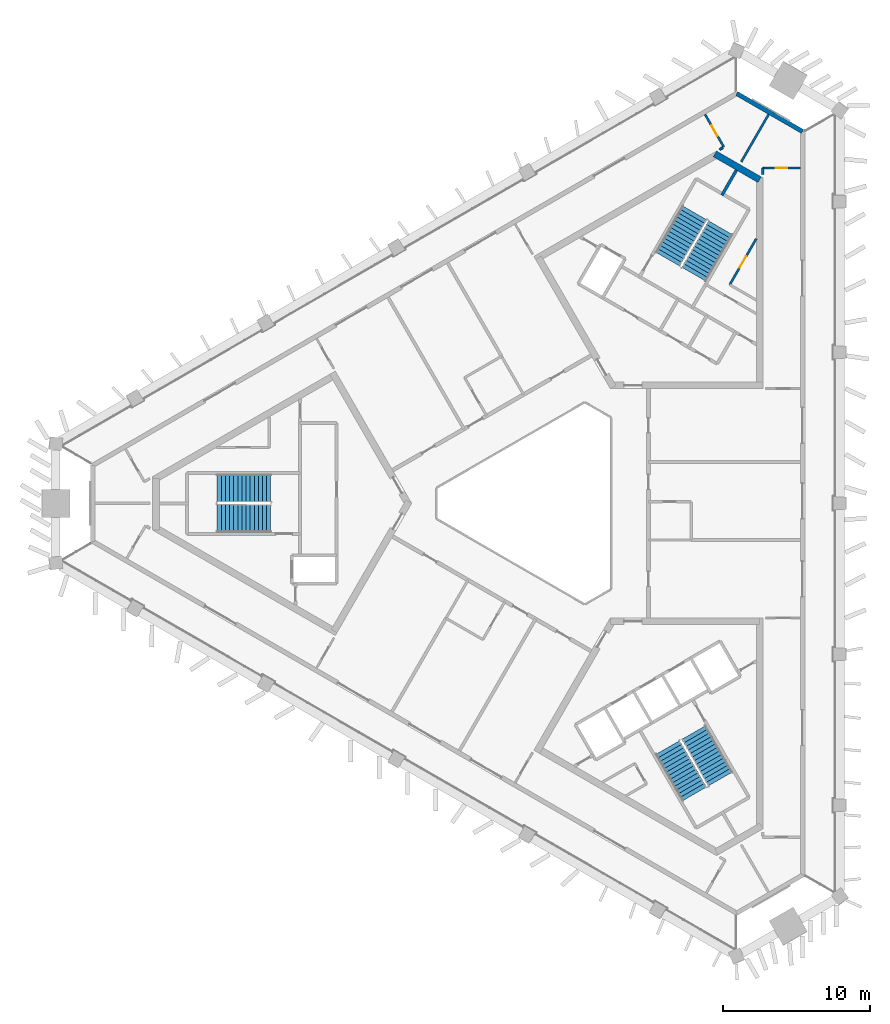
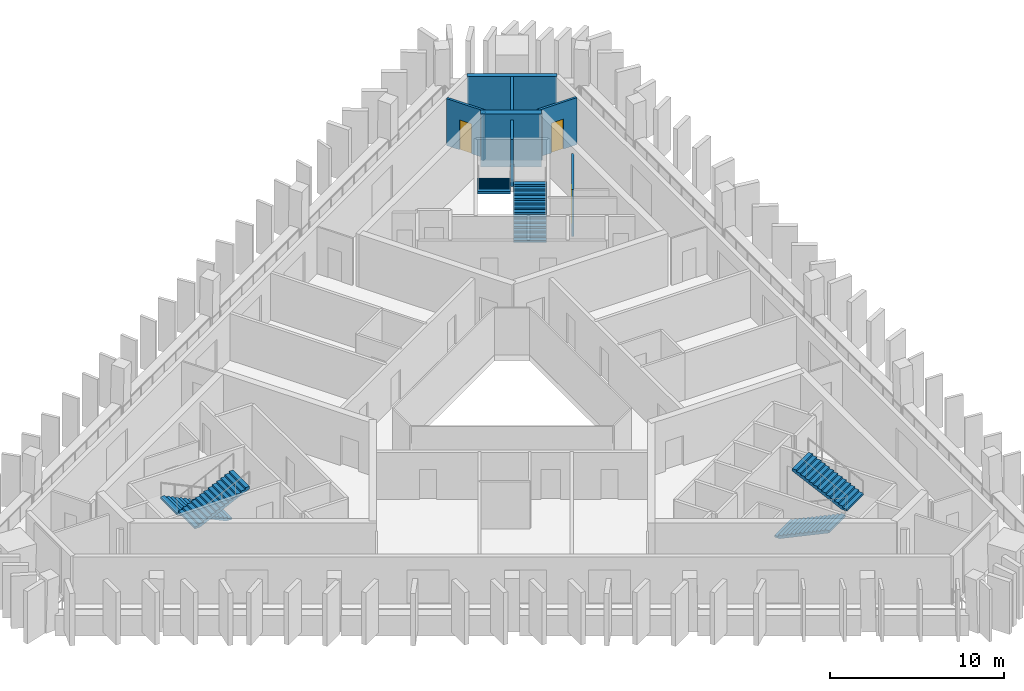
# One storey, part 6 of 9: 9 walls, 6 stair flights, 3 doors, 3 openings, 3 elements without a shape of their own.
"""IFC4 building model written with IfcOpenShell, lengths in metres."""

from ifc_helpers import new_model, si_unit, direction, frame, frame_2d, origin, place, context, subcontext, project, spatial, polyline, rectangle, outline, extrude, material, layer, layer_set, type_object, element, fill, aggregate, save


model = new_model("IFC4")

# Units and contexts
model_context = context("Model", 3, precision=1e-05, world=origin(), true_north=direction((0.0, 1.0)))
body_context = subcontext(model_context, "Body", "Model", "MODEL_VIEW")
ifc_project = project(units=[si_unit("LENGTHUNIT", "METRE"), si_unit("AREAUNIT", "SQUARE_METRE"), si_unit("VOLUMEUNIT", "CUBIC_METRE"), si_unit("PLANEANGLEUNIT", "RADIAN"), si_unit("MASSUNIT", "GRAM", prefix="KILO")], contexts=[model_context])

# Site, building, storey
site_placement = place(None, origin())
site = spatial("IfcSite", under=ifc_project, at=site_placement, CompositionType="ELEMENT")
building_placement = place(site_placement, origin())
building = spatial("IfcBuilding", under=site, at=building_placement, Name="Jabali Bay Hotel Tower and Convention Centre", CompositionType="ELEMENT")
storey_placement = place(building_placement, frame((0.0, 0.0, 224.300048828125)))
storey = spatial("IfcBuildingStorey", under=building, at=storey_placement, Name="L55", CompositionType="ELEMENT", Elevation=224.300048828125)

# Wall
ifc_material_1 = material(Name="Concrete C40", Category="concrete")
ifc_layer_1 = layer(ifc_material_1, 0.199951171875)
ifc_layer_set_1 = layer_set([ifc_layer_1], Name="Concrete C40")
wall_type_1 = type_object("IfcWallType", Name="Core partition wall 200", PredefinedType="PARTITIONING", material=ifc_layer_set_1)
wall_1_placement = place(storey_placement, frame((87.090087890625, 100.9404296875, 0.0), z_axis=(0.0, 0.0, 1.0), x_axis=(0.500011643316, 0.866018681408, 0.0)))
element("IfcWall", 1, at=wall_1_placement, inside=storey, type_object=wall_type_1, Name="Core wall 1.5 L55", PredefinedType="PARTITIONING", context=body_context, shape_type="SweptSolid", body=[
    extrude(rectangle(XDim=1.97314453125, YDim=0.199951171875, at=frame_2d((0.986572265625, 0.0))), origin(), (0.0, 0.0, 1.0), 3.300048828125),
])

# Wall, opening, door
ifc_material_2 = material(Name="Fire-rated board partition")
ifc_layer_2 = layer(ifc_material_2, 0.14990234375)
ifc_layer_set_2 = layer_set([ifc_layer_2], Name="Fire-rated board partition")
wall_type_2 = type_object("IfcWallType", Name="Core room partition 150", PredefinedType="PARTITIONING", material=ifc_layer_set_2)
wall_2_placement = place(storey_placement, frame((87.62109375, 94.8603515625, 0.0), z_axis=(0.0, 0.0, 1.0), x_axis=(0.499993116331, 0.866029378036, 0.0)))
wall_2 = element("IfcWall", 2, at=wall_2_placement, inside=storey, type_object=wall_type_2, Name="Core wall 1.1 L55", PredefinedType="PARTITIONING", context=body_context, shape_type="SweptSolid", body=[
    extrude(rectangle(XDim=3.61767578125, YDim=0.14990234375, at=frame_2d((1.808837890625, 0.0))), origin(), (0.0, 0.0, 1.0), 3.300048828125),
])
opening_1_placement = place(wall_2_placement, frame((1.33154296875, 0.0, 0.0)))
opening_1 = element("IfcOpeningElement", 3, at=opening_1_placement, cuts=wall_2, Name="Opening D1203", PredefinedType="OPENING", context=body_context, shape_type="SweptSolid", body=[
    extrude(rectangle(XDim=0.89990234375, YDim=2.10009765625, at=frame_2d((0.449951171875, 1.050048828125))), frame((0.0, 0.08544921875, 0.0), z_axis=(0.0, -1.0, 0.0), x_axis=(1.0, 0.0, 0.0)), (0.0, 0.0, 1.0), 0.1708984375),
])
ifc_material_3 = material(Name="Fire-rated steel door", Category="steel")
door_type_1 = type_object("IfcDoorType", Name="Core room door 900 x 2100", OperationType="NOTDEFINED", PredefinedType="NOTDEFINED", material=ifc_material_3)
door_1_placement = place(opening_1_placement, origin())
door_1 = element("IfcDoor", 4, at=door_1_placement, inside=storey, type_object=door_type_1, Name="Core room door D1203", OperationType="SINGLE_SWING_LEFT", OverallHeight=2.10009765625, OverallWidth=0.89990234375, PredefinedType="NOTDEFINED", context=body_context, shape_type="SweptSolid", body=[
    extrude(rectangle(XDim=0.89990234375, YDim=2.10009765625, at=frame_2d((0.449951171875, 1.050048828125))), frame((0.0, 0.02490234375, 0.0), z_axis=(0.0, -1.0, 0.0), x_axis=(1.0, 0.0, 0.0)), (0.0, 0.0, 1.0), 0.050048828125),
])
fill(opening_1, door_1)

# Walls
ifc_material_4 = material(Name="Concrete C60", Category="concrete")
ifc_layer_3 = layer(ifc_material_4, 0.449951171875)
ifc_layer_set_3 = layer_set([ifc_layer_3], Name="Concrete C60")
wall_type_3 = type_object("IfcWallType", Name="Core wall 450", PredefinedType="SHEAR", material=ifc_layer_set_3)
wall_3_placement = place(storey_placement, frame((89.655029296875, 101.997802734375, 0.0), z_axis=(0.0, 0.0, 1.0), x_axis=(-0.866042179588, 0.49997094233, 0.0)))
element("IfcWall", 5, at=wall_3_placement, inside=storey, type_object=wall_type_3, Name="Core wall 2.3 L55", PredefinedType="SHEAR", context=body_context, shape_type="SweptSolid", body=[
    extrude(rectangle(XDim=3.515380859375, YDim=0.449951171875, at=frame_2d((1.7578125, 0.0))), origin(), (0.0, 0.0, 1.0), 3.699951171875),
])
ifc_layer_4 = layer(ifc_material_1, 0.300048828125)
ifc_layer_set_4 = layer_set([ifc_layer_4], Name="Concrete C40")
wall_type_4 = type_object("IfcWallType", Name="External wall 300", PredefinedType="SOLIDWALL", material=ifc_layer_set_4)
wall_4_placement = place(storey_placement, frame((88.09912109375, 107.859130859375, 0.0), z_axis=(0.0, 0.0, 1.0), x_axis=(0.866032272612, -0.499988102653, 0.0)))
element("IfcWall", 6, at=wall_4_placement, inside=storey, type_object=wall_type_4, Name="External wall north-east chamfer L55", PredefinedType="SOLIDWALL", context=body_context, shape_type="SweptSolid", body=[
    extrude(rectangle(XDim=5.171142578125, YDim=0.300048828125, at=frame_2d((2.58544921875, 0.0))), origin(), (0.0, 0.0, 1.0), 3.300048828125),
])

# Wall, opening, door
ifc_material_5 = material(Name="Plasterboard on steel stud", Category="steel")
ifc_layer_5 = layer(ifc_material_5, 0.14990234375)
ifc_layer_set_5 = layer_set([ifc_layer_5], Name="Plasterboard on steel stud")
wall_type_5 = type_object("IfcWallType", Name="Partition 150 wet", PredefinedType="PARTITIONING", material=ifc_layer_set_5)
wall_5_placement = place(storey_placement, frame((92.42822265625, 102.794189453125, 0.0), z_axis=(0.0, 0.0, 1.0), x_axis=(-1.0, 0.0, 0.0)))
wall_5 = element("IfcWall", 7, at=wall_5_placement, inside=storey, type_object=wall_type_5, Name="Partition P03 L55 011", PredefinedType="PARTITIONING", context=body_context, shape_type="SweptSolid", body=[
    extrude(rectangle(XDim=2.567138671875, YDim=0.14990234375, at=frame_2d((1.28369140625, 0.0))), origin(), (0.0, 0.0, 1.0), 3.300048828125),
])
opening_2_placement = place(wall_5_placement, frame((0.884033203125, 0.0, 0.0)))
opening_2 = element("IfcOpeningElement", 8, at=opening_2_placement, cuts=wall_5, Name="Opening 5508", PredefinedType="OPENING", context=body_context, shape_type="SweptSolid", body=[
    extrude(rectangle(XDim=0.800048828125, YDim=2.10009765625, at=frame_2d((0.39990234375, 1.050048828125))), frame((0.0, 0.08544921875, 0.0), z_axis=(0.0, -1.0, 0.0), x_axis=(1.0, 0.0, 0.0)), (0.0, 0.0, 1.0), 0.1708984375),
])
ifc_material_6 = material(Name="Timber", Category="wood")
door_type_2 = type_object("IfcDoorType", Name="En-suite door 800 x 2100", OperationType="NOTDEFINED", PredefinedType="NOTDEFINED", material=ifc_material_6)
door_2_placement = place(opening_2_placement, origin())
door_2 = element("IfcDoor", 9, at=door_2_placement, inside=storey, type_object=door_type_2, Name="Door 5508", OperationType="SINGLE_SWING_LEFT", OverallHeight=2.10009765625, OverallWidth=0.800048828125, PredefinedType="NOTDEFINED", context=body_context, shape_type="SweptSolid", body=[
    extrude(rectangle(XDim=0.800048828125, YDim=2.10009765625, at=frame_2d((0.39990234375, 1.050048828125))), frame((0.0, 0.02490234375, 0.0), z_axis=(0.0, -1.0, 0.0), x_axis=(1.0, 0.0, 0.0)), (0.0, 0.0, 1.0), 0.050048828125),
])
fill(opening_2, door_2)

# Walls
wall_6_placement = place(storey_placement, frame((89.861083984375, 102.794189453125, 0.0), z_axis=(0.0, 0.0, 1.0), x_axis=(0.0, -1.0, 0.0)))
element("IfcWall", 10, at=wall_6_placement, inside=storey, type_object=wall_type_5, Name="Partition P03 L55 012", PredefinedType="PARTITIONING", context=body_context, shape_type="SweptSolid", body=[
    extrude(rectangle(XDim=0.42578125, YDim=0.14990234375, at=frame_2d((0.212890625, 0.0))), origin(), (0.0, 0.0, 1.0), 3.300048828125),
])
wall_7_placement = place(storey_placement, frame((90.264404296875, 106.43701171875, 0.0), z_axis=(0.0, 0.0, 1.0), x_axis=(-0.499966389646, -0.866044807862, 0.0)))
element("IfcWall", 11, at=wall_7_placement, inside=storey, type_object=wall_type_5, Name="Partition P03 L55 013", PredefinedType="PARTITIONING", context=body_context, shape_type="SweptSolid", body=[
    extrude(rectangle(XDim=3.725341796875, YDim=0.14990234375, at=frame_2d((1.86279296875, 0.0))), origin(), (0.0, 0.0, 1.0), 3.300048828125),
])
wall_8_placement = place(storey_placement, frame((86.941162109375, 104.05419921875, 0.0), z_axis=(0.0, 0.0, 1.0), x_axis=(0.865808178054, 0.500376057396, 0.0)))
element("IfcWall", 12, at=wall_8_placement, inside=storey, type_object=wall_type_5, Name="Partition P03 L55 017", PredefinedType="PARTITIONING", context=body_context, shape_type="SweptSolid", body=[
    extrude(rectangle(XDim=0.247802734375, YDim=0.14990234375, at=frame_2d((0.1240234375, 0.0))), origin(), (0.0, 0.0, 1.0), 3.300048828125),
])

# Wall, opening, door
wall_9_placement = place(storey_placement, frame((87.22509765625, 104.21826171875, 0.0), z_axis=(0.0, 0.0, 1.0), x_axis=(-0.500046250861, 0.86599869919, 0.0)))
wall_9 = element("IfcWall", 13, at=wall_9_placement, inside=storey, type_object=wall_type_5, Name="Partition P03 L55 018", PredefinedType="PARTITIONING", context=body_context, shape_type="SweptSolid", body=[
    extrude(rectangle(XDim=2.567138671875, YDim=0.14990234375, at=frame_2d((1.28369140625, 0.0))), origin(), (0.0, 0.0, 1.0), 3.300048828125),
])
opening_3_placement = place(wall_9_placement, frame((0.884033203125, 0.0, 0.0)))
opening_3 = element("IfcOpeningElement", 14, at=opening_3_placement, cuts=wall_9, Name="Opening 5511", PredefinedType="OPENING", context=body_context, shape_type="SweptSolid", body=[
    extrude(rectangle(XDim=0.800048828125, YDim=2.10009765625, at=frame_2d((0.39990234375, 1.050048828125))), frame((0.0, 0.08544921875, 0.0), z_axis=(0.0, -1.0, 0.0), x_axis=(1.0, 0.0, 0.0)), (0.0, 0.0, 1.0), 0.1708984375),
])
door_3_placement = place(opening_3_placement, origin())
door_3 = element("IfcDoor", 15, at=door_3_placement, inside=storey, type_object=door_type_2, Name="Door 5511", OperationType="SINGLE_SWING_LEFT", OverallHeight=2.10009765625, OverallWidth=0.800048828125, PredefinedType="NOTDEFINED", context=body_context, shape_type="SweptSolid", body=[
    extrude(rectangle(XDim=0.800048828125, YDim=2.10009765625, at=frame_2d((0.39990234375, 1.050048828125))), frame((0.0, 0.02490234375, 0.0), z_axis=(0.0, -1.0, 0.0), x_axis=(1.0, 0.0, 0.0)), (0.0, 0.0, 1.0), 0.050048828125),
])
fill(opening_3, door_3)

# Stair, stair flights
stair_type = type_object("IfcStairType", Name="Exit stair 1900", PredefinedType="HALF_TURN_STAIR", material=ifc_material_1)
stair_1_placement = place(storey_placement, origin())
stair_1 = element("IfcStair", 16, at=stair_1_placement, inside=storey, type_object=stair_type, Name="L55 Exit Stair 1", PredefinedType="HALF_TURN_STAIR")
stair_flight_type = type_object("IfcStairFlightType", Name="Stair flight concrete 150", PredefinedType="STRAIGHT", material=ifc_material_1)
stair_flight_1_placement = place(storey_placement, frame((56.419921875, 81.02490234375, 0.0), z_axis=(0.0, 0.0, 1.0), x_axis=(-1.0, 0.0, 0.0)))
stair_flight_1 = element("IfcStairFlight", 17, at=stair_flight_1_placement, type_object=stair_flight_type, Name="ST1 flight 1", NumberOfRisers=14, NumberOfTreads=13, PredefinedType="STRAIGHT", RiserHeight=0.132142857, TreadLength=0.28, context=body_context, shape_type="SweptSolid", body=[
    extrude(outline(polyline([(0.0, 0.0), (0.0, 0.132080078125), (0.280029296875, 0.132080078125), (0.280029296875, 0.264404296875), (0.56005859375, 0.264404296875), (0.56005859375, 0.396484375), (0.840087890625, 0.396484375), (0.840087890625, 0.528564453125), (1.1201171875, 0.528564453125), (1.1201171875, 0.66064453125), (1.39990234375, 0.66064453125), (1.39990234375, 0.79296875), (1.679931640625, 0.79296875), (1.679931640625, 0.925048828125), (1.9599609375, 0.925048828125), (1.9599609375, 1.05712890625), (2.239990234375, 1.05712890625), (2.239990234375, 1.189208984375), (2.52001953125, 1.189208984375), (2.52001953125, 1.321533203125), (2.800048828125, 1.321533203125), (2.800048828125, 1.45361328125), (3.080078125, 1.45361328125), (3.080078125, 1.585693359375), (3.360107421875, 1.585693359375), (3.360107421875, 1.7177734375), (3.639892578125, 1.7177734375), (3.639892578125, 1.85009765625), (3.639892578125, 1.552001953125), (0.351318359375, 0.0), (0.0, 0.0)])), frame((0.0, 0.949951171875, 0.0), z_axis=(0.0, -1.0, 0.0), x_axis=(1.0, 0.0, 0.0)), (0.0, 0.0, 1.0), 1.89990234375),
])
stair_flight_2_placement = place(storey_placement, frame((52.780029296875, 78.97509765625, 1.849853515625), z_axis=(0.0, 0.0, 1.0), x_axis=(1.0, 0.0, 0.0)))
stair_flight_2 = element("IfcStairFlight", 18, at=stair_flight_2_placement, type_object=stair_flight_type, Name="ST1 flight 2", NumberOfRisers=14, NumberOfTreads=13, PredefinedType="STRAIGHT", RiserHeight=0.132142857, TreadLength=0.28, context=body_context, shape_type="SweptSolid", body=[
    extrude(outline(polyline([(0.0, 0.0), (0.0, 0.132080078125), (0.280029296875, 0.132080078125), (0.280029296875, 0.264404296875), (0.56005859375, 0.264404296875), (0.56005859375, 0.396484375), (0.840087890625, 0.396484375), (0.840087890625, 0.528564453125), (1.1201171875, 0.528564453125), (1.1201171875, 0.66064453125), (1.39990234375, 0.66064453125), (1.39990234375, 0.79296875), (1.679931640625, 0.79296875), (1.679931640625, 0.925048828125), (1.9599609375, 0.925048828125), (1.9599609375, 1.05712890625), (2.239990234375, 1.05712890625), (2.239990234375, 1.189208984375), (2.52001953125, 1.189208984375), (2.52001953125, 1.321533203125), (2.800048828125, 1.321533203125), (2.800048828125, 1.45361328125), (3.080078125, 1.45361328125), (3.080078125, 1.585693359375), (3.360107421875, 1.585693359375), (3.360107421875, 1.7177734375), (3.639892578125, 1.7177734375), (3.639892578125, 1.85009765625), (3.639892578125, 1.552001953125), (0.351318359375, 0.0), (0.0, 0.0)])), frame((0.0, 0.949951171875, 0.0), z_axis=(0.0, -1.0, 0.0), x_axis=(1.0, 0.0, 0.0)), (0.0, 0.0, 1.0), 1.89990234375),
])
aggregate(stair_1, [stair_flight_1, stair_flight_2])

stair_2_placement = place(storey_placement, origin())
stair_2 = element("IfcStair", 19, at=stair_2_placement, inside=storey, type_object=stair_type, Name="L55 Exit Stair 2", PredefinedType="HALF_TURN_STAIR")
stair_flight_3_placement = place(storey_placement, frame((85.177734375, 95.578369140625, 0.0), z_axis=(0.0, 0.0, 1.0), x_axis=(0.5, 0.866025403784, 0.0)))
stair_flight_3 = element("IfcStairFlight", 20, at=stair_flight_3_placement, type_object=stair_flight_type, Name="ST2 flight 1", NumberOfRisers=14, NumberOfTreads=13, PredefinedType="STRAIGHT", RiserHeight=0.132142857, TreadLength=0.28, context=body_context, shape_type="SweptSolid", body=[
    extrude(outline(polyline([(0.0, 0.0), (0.0, 0.132080078125), (0.280029296875, 0.132080078125), (0.280029296875, 0.264404296875), (0.56005859375, 0.264404296875), (0.56005859375, 0.396484375), (0.840087890625, 0.396484375), (0.840087890625, 0.528564453125), (1.1201171875, 0.528564453125), (1.1201171875, 0.66064453125), (1.39990234375, 0.66064453125), (1.39990234375, 0.79296875), (1.679931640625, 0.79296875), (1.679931640625, 0.925048828125), (1.9599609375, 0.925048828125), (1.9599609375, 1.05712890625), (2.239990234375, 1.05712890625), (2.239990234375, 1.189208984375), (2.52001953125, 1.189208984375), (2.52001953125, 1.321533203125), (2.800048828125, 1.321533203125), (2.800048828125, 1.45361328125), (3.080078125, 1.45361328125), (3.080078125, 1.585693359375), (3.360107421875, 1.585693359375), (3.360107421875, 1.7177734375), (3.639892578125, 1.7177734375), (3.639892578125, 1.85009765625), (3.639892578125, 1.552001953125), (0.351318359375, 0.0), (0.0, 0.0)])), frame((0.0, 0.949951171875, 0.0), z_axis=(0.0, -1.0, 0.0), x_axis=(1.0, 0.0, 0.0)), (0.0, 0.0, 1.0), 1.89990234375),
])
stair_flight_4_placement = place(storey_placement, frame((85.222412109375, 99.755615234375, 1.849853515625), z_axis=(0.0, 0.0, 1.0), x_axis=(-0.5, -0.866025403784, 0.0)))
stair_flight_4 = element("IfcStairFlight", 21, at=stair_flight_4_placement, type_object=stair_flight_type, Name="ST2 flight 2", NumberOfRisers=14, NumberOfTreads=13, PredefinedType="STRAIGHT", RiserHeight=0.132142857, TreadLength=0.28, context=body_context, shape_type="SweptSolid", body=[
    extrude(outline(polyline([(0.0, 0.0), (0.0, 0.132080078125), (0.280029296875, 0.132080078125), (0.280029296875, 0.264404296875), (0.56005859375, 0.264404296875), (0.56005859375, 0.396484375), (0.840087890625, 0.396484375), (0.840087890625, 0.528564453125), (1.1201171875, 0.528564453125), (1.1201171875, 0.66064453125), (1.39990234375, 0.66064453125), (1.39990234375, 0.79296875), (1.679931640625, 0.79296875), (1.679931640625, 0.925048828125), (1.9599609375, 0.925048828125), (1.9599609375, 1.05712890625), (2.239990234375, 1.05712890625), (2.239990234375, 1.189208984375), (2.52001953125, 1.189208984375), (2.52001953125, 1.321533203125), (2.800048828125, 1.321533203125), (2.800048828125, 1.45361328125), (3.080078125, 1.45361328125), (3.080078125, 1.585693359375), (3.360107421875, 1.585693359375), (3.360107421875, 1.7177734375), (3.639892578125, 1.7177734375), (3.639892578125, 1.85009765625), (3.639892578125, 1.552001953125), (0.351318359375, 0.0), (0.0, 0.0)])), frame((0.0, 0.949951171875, 0.0), z_axis=(0.0, -1.0, 0.0), x_axis=(1.0, 0.0, 0.0)), (0.0, 0.0, 1.0), 1.89990234375),
])
aggregate(stair_2, [stair_flight_3, stair_flight_4])

stair_3_placement = place(storey_placement, origin())
stair_3 = element("IfcStair", 22, at=stair_3_placement, inside=storey, type_object=stair_type, Name="L55 Exit Stair 3", PredefinedType="HALF_TURN_STAIR")
stair_flight_5_placement = place(storey_placement, frame((83.40234375, 63.396728515625, 0.0), z_axis=(0.0, 0.0, 1.0), x_axis=(0.5, -0.866025403784, 0.0)))
stair_flight_5 = element("IfcStairFlight", 23, at=stair_flight_5_placement, type_object=stair_flight_type, Name="ST3 flight 1", NumberOfRisers=14, NumberOfTreads=13, PredefinedType="STRAIGHT", RiserHeight=0.132142857, TreadLength=0.28, context=body_context, shape_type="SweptSolid", body=[
    extrude(outline(polyline([(0.0, 0.0), (0.0, 0.132080078125), (0.280029296875, 0.132080078125), (0.280029296875, 0.264404296875), (0.56005859375, 0.264404296875), (0.56005859375, 0.396484375), (0.840087890625, 0.396484375), (0.840087890625, 0.528564453125), (1.1201171875, 0.528564453125), (1.1201171875, 0.66064453125), (1.39990234375, 0.66064453125), (1.39990234375, 0.79296875), (1.679931640625, 0.79296875), (1.679931640625, 0.925048828125), (1.9599609375, 0.925048828125), (1.9599609375, 1.05712890625), (2.239990234375, 1.05712890625), (2.239990234375, 1.189208984375), (2.52001953125, 1.189208984375), (2.52001953125, 1.321533203125), (2.800048828125, 1.321533203125), (2.800048828125, 1.45361328125), (3.080078125, 1.45361328125), (3.080078125, 1.585693359375), (3.360107421875, 1.585693359375), (3.360107421875, 1.7177734375), (3.639892578125, 1.7177734375), (3.639892578125, 1.85009765625), (3.639892578125, 1.552001953125), (0.351318359375, 0.0), (0.0, 0.0)])), frame((0.0, 0.949951171875, 0.0), z_axis=(0.0, -1.0, 0.0), x_axis=(1.0, 0.0, 0.0)), (0.0, 0.0, 1.0), 1.89990234375),
])
stair_flight_6_placement = place(storey_placement, frame((86.99755859375, 61.26953125, 1.849853515625), z_axis=(0.0, 0.0, 1.0), x_axis=(-0.5, 0.866025403784, 0.0)))
stair_flight_6 = element("IfcStairFlight", 24, at=stair_flight_6_placement, type_object=stair_flight_type, Name="ST3 flight 2", NumberOfRisers=14, NumberOfTreads=13, PredefinedType="STRAIGHT", RiserHeight=0.132142857, TreadLength=0.28, context=body_context, shape_type="SweptSolid", body=[
    extrude(outline(polyline([(0.0, 0.0), (0.0, 0.132080078125), (0.280029296875, 0.132080078125), (0.280029296875, 0.264404296875), (0.56005859375, 0.264404296875), (0.56005859375, 0.396484375), (0.840087890625, 0.396484375), (0.840087890625, 0.528564453125), (1.1201171875, 0.528564453125), (1.1201171875, 0.66064453125), (1.39990234375, 0.66064453125), (1.39990234375, 0.79296875), (1.679931640625, 0.79296875), (1.679931640625, 0.925048828125), (1.9599609375, 0.925048828125), (1.9599609375, 1.05712890625), (2.239990234375, 1.05712890625), (2.239990234375, 1.189208984375), (2.52001953125, 1.189208984375), (2.52001953125, 1.321533203125), (2.800048828125, 1.321533203125), (2.800048828125, 1.45361328125), (3.080078125, 1.45361328125), (3.080078125, 1.585693359375), (3.360107421875, 1.585693359375), (3.360107421875, 1.7177734375), (3.639892578125, 1.7177734375), (3.639892578125, 1.85009765625), (3.639892578125, 1.552001953125), (0.351318359375, 0.0), (0.0, 0.0)])), frame((0.0, 0.949951171875, 0.0), z_axis=(0.0, -1.0, 0.0), x_axis=(1.0, 0.0, 0.0)), (0.0, 0.0, 1.0), 1.89990234375),
])
aggregate(stair_3, [stair_flight_5, stair_flight_6])

save(model, "model.ifc")
